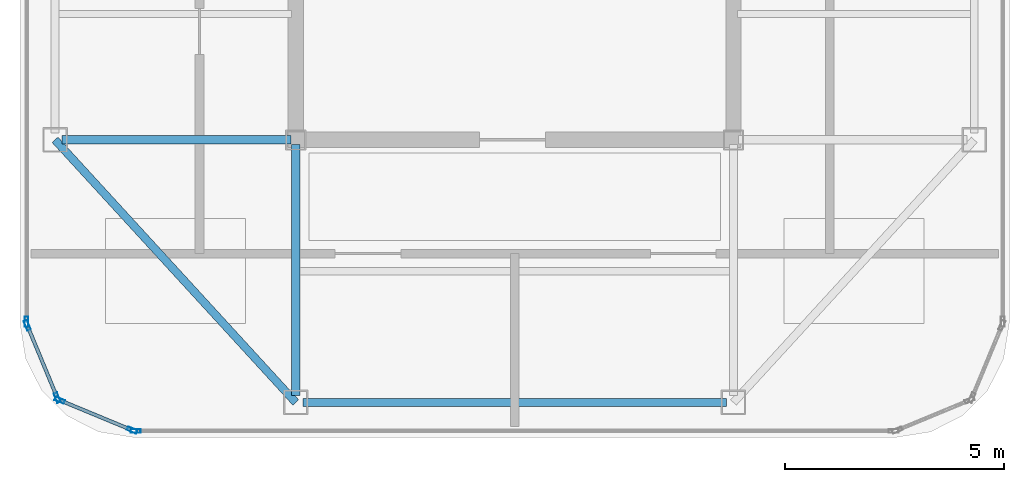
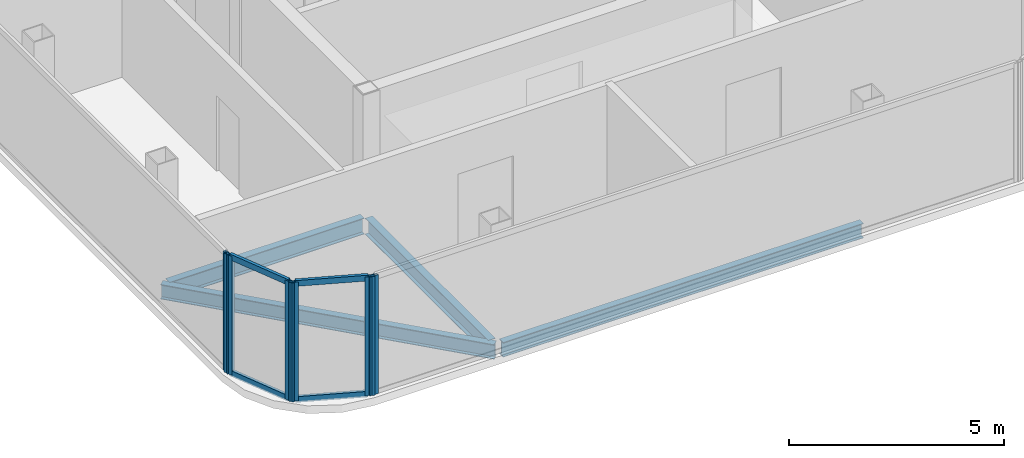
# One storey, part 2 of 11: 10 members, 4 beams, 4 elements without a shape of their own.
"""IFC4 building model written with IfcOpenShell, lengths in metres."""

from ifc_helpers import new_model, si_unit, direction, frame, origin, origin_2d, place, context, subcontext, project, spatial, hollow_rectangle, i_section, extrude, source, transform, mapped, material, layer, layer_set, material_profile, profile_set, type_object, element, aggregate, save


model = new_model("IFC4")

# Units and contexts
model_context = context("Model", 3, precision=1e-05, world=origin(), true_north=direction((0.0, 1.0)))
body_context = subcontext(model_context, "Body", "Model", "MODEL_VIEW")
ifc_project = project(units=[si_unit("LENGTHUNIT", "METRE"), si_unit("AREAUNIT", "SQUARE_METRE"), si_unit("VOLUMEUNIT", "CUBIC_METRE"), si_unit("PLANEANGLEUNIT", "RADIAN"), si_unit("MASSUNIT", "GRAM", prefix="KILO")], contexts=[model_context])

# Site, building, storey
site_placement = place(None, origin())
site = spatial("IfcSite", under=ifc_project, at=site_placement, CompositionType="ELEMENT")
building_placement = place(site_placement, origin())
building = spatial("IfcBuilding", under=site, at=building_placement, Name="Kolveth Station Tower", CompositionType="ELEMENT")
storey_placement = place(building_placement, frame((0.0, 0.0, 289.300048828125)))
storey = spatial("IfcBuildingStorey", under=building, at=storey_placement, Name="L83", CompositionType="ELEMENT", Elevation=289.300048828125)

# Beams
ifc_material_1 = material(Name="Steel S355", Category="steel")
ifc_material_profile_1 = material_profile(ifc_material_1, i_section(OverallWidth=0.180908203125, OverallDepth=0.4169921875, WebThickness=0.010986328125, FlangeThickness=0.018310546875, at=origin_2d()), Name="W410x85")
ifc_profile_set_1 = profile_set([ifc_material_profile_1], Name="Steel S355")
beam_type_1 = type_object("IfcBeamType", Name="Beam_B8", PredefinedType="BEAM", material=ifc_profile_set_1)
shared_shape_1 = source(origin(), body_context, "Body", "SweptSolid", [
    extrude(i_section(OverallWidth=0.180908203125, OverallDepth=0.4169921875, WebThickness=0.010986328125, FlangeThickness=0.018310546875, at=origin_2d()), origin(), (0.0, 0.0, 1.0), 9.68017578125),
])
beam_1_placement = place(storey_placement, frame((18.659912109375, 5.5, -0.428466796875), z_axis=(1.0, 0.0, 0.0), x_axis=(0.0, 1.0, 0.0)))
element("IfcBeam", 1, at=beam_1_placement, inside=storey, type_object=beam_type_1, Name="L83 Perimeter Spandrel BM-L83-PS-1", PredefinedType="BEAM", context=body_context, shape_type="MappedRepresentation", body=[
    mapped(shared_shape_1, transform((0.0, 0.0, 0.0), x_axis=(1.0, 0.0, 0.0), y_axis=(0.0, 1.0, 0.0), z_axis=(0.0, 0.0, 1.0), scale=1.0)),
])
ifc_material_profile_2 = material_profile(ifc_material_1, i_section(OverallWidth=0.19091796875, OverallDepth=0.4599609375, WebThickness=0.010009765625, FlangeThickness=0.01611328125, at=origin_2d()), Name="W460x82")
ifc_profile_set_2 = profile_set([ifc_material_profile_2], Name="Steel S355")
beam_type_2 = type_object("IfcBeamType", Name="Beam_B7", PredefinedType="BEAM", material=ifc_profile_set_2)
shared_shape_2 = source(origin(), body_context, "Body", "SweptSolid", [
    extrude(i_section(OverallWidth=0.19091796875, OverallDepth=0.4599609375, WebThickness=0.010009765625, FlangeThickness=0.01611328125, at=origin_2d()), origin(), (0.0, 0.0, 1.0), 5.22998046875),
])
beam_2_placement = place(storey_placement, frame((13.159912109375, 11.5, -0.449951171875), z_axis=(1.0, 0.0, 0.0), x_axis=(0.0, 1.0, 0.0)))
element("IfcBeam", 2, at=beam_2_placement, inside=storey, type_object=beam_type_2, Name="L83 Primary Girder BM-L83-GY115-1", PredefinedType="BEAM", context=body_context, shape_type="MappedRepresentation", body=[
    mapped(shared_shape_2, transform((0.0, 0.0, 0.0), x_axis=(1.0, 0.0, 0.0), y_axis=(0.0, 1.0, 0.0), z_axis=(0.0, 0.0, 1.0), scale=1.0)),
])
shared_shape_3 = source(origin(), body_context, "Body", "SweptSolid", [
    extrude(i_section(OverallWidth=0.19091796875, OverallDepth=0.4599609375, WebThickness=0.010009765625, FlangeThickness=0.01611328125, at=origin_2d()), origin(), (0.0, 0.0, 1.0), 5.72998046875),
])
beam_3_placement = place(storey_placement, frame((18.5, 5.659912109375, -0.449951171875), z_axis=(0.0, 1.0, 0.0), x_axis=(-1.0, 0.0, 0.0)))
element("IfcBeam", 3, at=beam_3_placement, inside=storey, type_object=beam_type_2, Name="L83 Primary Girder BM-L83-GX185-1", PredefinedType="BEAM", context=body_context, shape_type="MappedRepresentation", body=[
    mapped(shared_shape_3, transform((0.0, 0.0, 0.0), x_axis=(1.0, 0.0, 0.0), y_axis=(0.0, 1.0, 0.0), z_axis=(0.0, 0.0, 1.0), scale=1.0)),
])
shared_shape_4 = source(origin(), body_context, "Body", "SweptSolid", [
    extrude(i_section(OverallWidth=0.180908203125, OverallDepth=0.4169921875, WebThickness=0.010986328125, FlangeThickness=0.018310546875, at=origin_2d()), origin(), (0.0, 0.0, 1.0), 8.139404296875),
])
beam_4_placement = place(storey_placement, frame((13.0, 11.5, -0.428466796875), z_axis=(0.675724628517, -0.737154140201, 0.0), x_axis=(0.737154140201, 0.675724628517, 0.0)))
element("IfcBeam", 4, at=beam_4_placement, inside=storey, type_object=beam_type_1, Name="L83 Corner Edge Girder BM-L83-CNR-SW", PredefinedType="BEAM", context=body_context, shape_type="MappedRepresentation", body=[
    mapped(shared_shape_4, transform((0.0, 0.0, 0.0), x_axis=(1.0, 0.0, 0.0), y_axis=(0.0, 1.0, 0.0), z_axis=(0.0, 0.0, 1.0), scale=1.0)),
])

# Curtain wall, member
ifc_material_2 = material(Name="Black anodized aluminium 6063-T6 and dark crown glass", Category="aluminium")
ifc_layer = layer(ifc_material_2, 0.169921875)
ifc_layer_set = layer_set([ifc_layer], Name="Black anodized aluminium 6063-T6 and dark crown glass")
curtain_wall_type = type_object("IfcCurtainWallType", Name="CurtainWall_CW-CR", PredefinedType="NOTDEFINED", material=ifc_layer_set)
curtain_wall_1_placement = place(storey_placement, origin())
curtain_wall_1 = element("IfcCurtainWall", 5, at=curtain_wall_1_placement, inside=storey, type_object=curtain_wall_type, Name="L83 Stepped Crown Curtain Wall 9", PredefinedType="NOTDEFINED")
ifc_material_3 = material(Name="Black anodized aluminium 6063-T6", Category="aluminium")
ifc_material_profile_3 = material_profile(ifc_material_3, hollow_rectangle(XDim=0.0849609375, YDim=0.22998046875, WallThickness=0.0048828125, at=origin_2d()), Name="ALU-85x230x5")
ifc_profile_set_3 = profile_set([ifc_material_profile_3], Name="Black anodized aluminium 6063-T6")
member_type_1 = type_object("IfcMemberType", Name="Mullion_ML-CR", PredefinedType="MULLION", material=ifc_profile_set_3)
shared_shape_5 = source(origin(), body_context, "Body", "SweptSolid", [
    extrude(hollow_rectangle(XDim=0.0849609375, YDim=0.22998046875, WallThickness=0.0048828125, at=origin_2d()), origin(), (0.0, 0.0, 1.0), 3.3798828125),
])
member_1_placement = place(storey_placement, frame((12.35009765625, 7.342529296875, 0.0), z_axis=(0.0, 0.0, 1.0), x_axis=(1.0, 0.0, 0.0)))
member_1 = element("IfcMember", 6, at=member_1_placement, type_object=member_type_1, Name="CW-CR mullion 2", PredefinedType="MULLION", context=body_context, shape_type="MappedRepresentation", body=[
    mapped(shared_shape_5, transform((0.0, 0.0, 0.0), x_axis=(1.0, 0.0, 0.0), y_axis=(0.0, 1.0, 0.0), z_axis=(0.0, 0.0, 1.0), scale=1.0)),
])
aggregate(curtain_wall_1, [member_1])

# Curtain wall, members
curtain_wall_2_placement = place(storey_placement, origin())
curtain_wall_2 = element("IfcCurtainWall", 7, at=curtain_wall_2_placement, inside=storey, type_object=curtain_wall_type, Name="L83 Stepped Crown Curtain Wall 10", PredefinedType="NOTDEFINED")
member_2_placement = place(storey_placement, frame((12.3662109375, 7.2607421875, 0.0), z_axis=(0.0, 0.0, 1.0), x_axis=(0.923876435676, 0.382690908701, 0.0)))
member_2 = element("IfcMember", 8, at=member_2_placement, type_object=member_type_1, Name="CW-CR mullion 1", PredefinedType="MULLION", context=body_context, shape_type="MappedRepresentation", body=[
    mapped(shared_shape_5, transform((0.0, 0.0, 0.0), x_axis=(1.0, 0.0, 0.0), y_axis=(0.0, 1.0, 0.0), z_axis=(0.0, 0.0, 1.0), scale=1.0)),
])
member_3_placement = place(storey_placement, frame((13.05126953125, 5.60693359375, 0.0), z_axis=(0.0, 0.0, 1.0), x_axis=(0.923876435676, 0.382690908701, 0.0)))
member_3 = element("IfcMember", 9, at=member_3_placement, type_object=member_type_1, Name="CW-CR mullion 2", PredefinedType="MULLION", context=body_context, shape_type="MappedRepresentation", body=[
    mapped(shared_shape_5, transform((0.0, 0.0, 0.0), x_axis=(1.0, 0.0, 0.0), y_axis=(0.0, 1.0, 0.0), z_axis=(0.0, 0.0, 1.0), scale=1.0)),
])

curtain_wall_3_placement = place(storey_placement, origin())
curtain_wall_3 = element("IfcCurtainWall", 10, at=curtain_wall_3_placement, inside=storey, type_object=curtain_wall_type, Name="L83 Stepped Crown Curtain Wall 11", PredefinedType="NOTDEFINED")
member_4_placement = place(storey_placement, frame((13.10693359375, 5.55126953125, 0.0), z_axis=(0.0, 0.0, 1.0), x_axis=(0.382690908701, 0.923876435676, 0.0)))
member_4 = element("IfcMember", 11, at=member_4_placement, type_object=member_type_1, Name="CW-CR mullion 1", PredefinedType="MULLION", context=body_context, shape_type="MappedRepresentation", body=[
    mapped(shared_shape_5, transform((0.0, 0.0, 0.0), x_axis=(1.0, 0.0, 0.0), y_axis=(0.0, 1.0, 0.0), z_axis=(0.0, 0.0, 1.0), scale=1.0)),
])
member_5_placement = place(storey_placement, frame((14.7607421875, 4.8662109375, 0.0), z_axis=(0.0, 0.0, 1.0), x_axis=(0.382690908701, 0.923876435676, 0.0)))
member_5 = element("IfcMember", 12, at=member_5_placement, type_object=member_type_1, Name="CW-CR mullion 2", PredefinedType="MULLION", context=body_context, shape_type="MappedRepresentation", body=[
    mapped(shared_shape_5, transform((0.0, 0.0, 0.0), x_axis=(1.0, 0.0, 0.0), y_axis=(0.0, 1.0, 0.0), z_axis=(0.0, 0.0, 1.0), scale=1.0)),
])

# Curtain wall, member
curtain_wall_4_placement = place(storey_placement, origin())
curtain_wall_4 = element("IfcCurtainWall", 13, at=curtain_wall_4_placement, inside=storey, type_object=curtain_wall_type, Name="L83 Stepped Crown Curtain Wall 12", PredefinedType="NOTDEFINED")
member_6_placement = place(storey_placement, frame((14.842529296875, 4.85009765625, 0.0), z_axis=(0.0, 0.0, 1.0), x_axis=(0.0, 1.0, 0.0)))
member_6 = element("IfcMember", 14, at=member_6_placement, type_object=member_type_1, Name="CW-CR mullion 1", PredefinedType="MULLION", context=body_context, shape_type="MappedRepresentation", body=[
    mapped(shared_shape_5, transform((0.0, 0.0, 0.0), x_axis=(1.0, 0.0, 0.0), y_axis=(0.0, 1.0, 0.0), z_axis=(0.0, 0.0, 1.0), scale=1.0)),
])
aggregate(curtain_wall_4, [member_6])

# Member
ifc_material_profile_4 = material_profile(ifc_material_3, hollow_rectangle(XDim=0.080078125, YDim=0.1650390625, WallThickness=0.0048828125, at=origin_2d()), Name="ALU-80x165x5")
ifc_profile_set_4 = profile_set([ifc_material_profile_4], Name="Black anodized aluminium 6063-T6")
member_type_2 = type_object("IfcMemberType", Name="Transom_TR-CR", PredefinedType="USERDEFINED", material=ifc_profile_set_4)
shared_shape_6 = source(origin(), body_context, "Body", "SweptSolid", [
    extrude(hollow_rectangle(XDim=0.080078125, YDim=0.1650390625, WallThickness=0.0048828125, at=origin_2d()), origin(), (0.0, 0.0, 1.0), 1.705078125),
])
member_7_placement = place(storey_placement, frame((12.382568359375, 7.221435546875, 0.0400390625), z_axis=(0.38274381958, -0.923854516996, 0.0), x_axis=(0.923854516996, 0.38274381958, 0.0)))
member_7 = element("IfcMember", 15, at=member_7_placement, type_object=member_type_2, Name="CW-CR transom 1.1", ObjectType="TRANSOM", PredefinedType="USERDEFINED", context=body_context, shape_type="MappedRepresentation", body=[
    mapped(shared_shape_6, transform((0.0, 0.0, 0.0), x_axis=(1.0, 0.0, 0.0), y_axis=(0.0, 1.0, 0.0), z_axis=(0.0, 0.0, 1.0), scale=1.0)),
])

member_8_placement = place(storey_placement, frame((12.382568359375, 7.221435546875, 3.33984375), z_axis=(0.38274381958, -0.923854516996, 0.0), x_axis=(0.923854516996, 0.38274381958, 0.0)))
member_8 = element("IfcMember", 16, at=member_8_placement, type_object=member_type_2, Name="CW-CR transom 1.2", ObjectType="TRANSOM", PredefinedType="USERDEFINED", context=body_context, shape_type="MappedRepresentation", body=[
    mapped(shared_shape_6, transform((0.0, 0.0, 0.0), x_axis=(1.0, 0.0, 0.0), y_axis=(0.0, 1.0, 0.0), z_axis=(0.0, 0.0, 1.0), scale=1.0)),
])

aggregate(curtain_wall_2, [member_2, member_3, member_7, member_8])

member_9_placement = place(storey_placement, frame((13.146240234375, 5.53515625, 0.0400390625), z_axis=(0.923854516996, -0.38274381958, 0.0), x_axis=(0.38274381958, 0.923854516996, 0.0)))
member_9 = element("IfcMember", 17, at=member_9_placement, type_object=member_type_2, Name="CW-CR transom 1.1", ObjectType="TRANSOM", PredefinedType="USERDEFINED", context=body_context, shape_type="MappedRepresentation", body=[
    mapped(shared_shape_6, transform((0.0, 0.0, 0.0), x_axis=(1.0, 0.0, 0.0), y_axis=(0.0, 1.0, 0.0), z_axis=(0.0, 0.0, 1.0), scale=1.0)),
])

member_10_placement = place(storey_placement, frame((13.146240234375, 5.53515625, 3.33984375), z_axis=(0.923854516996, -0.38274381958, 0.0), x_axis=(0.38274381958, 0.923854516996, 0.0)))
member_10 = element("IfcMember", 18, at=member_10_placement, type_object=member_type_2, Name="CW-CR transom 1.2", ObjectType="TRANSOM", PredefinedType="USERDEFINED", context=body_context, shape_type="MappedRepresentation", body=[
    mapped(shared_shape_6, transform((0.0, 0.0, 0.0), x_axis=(1.0, 0.0, 0.0), y_axis=(0.0, 1.0, 0.0), z_axis=(0.0, 0.0, 1.0), scale=1.0)),
])

aggregate(curtain_wall_3, [member_4, member_5, member_9, member_10])

save(model, "model.ifc")
